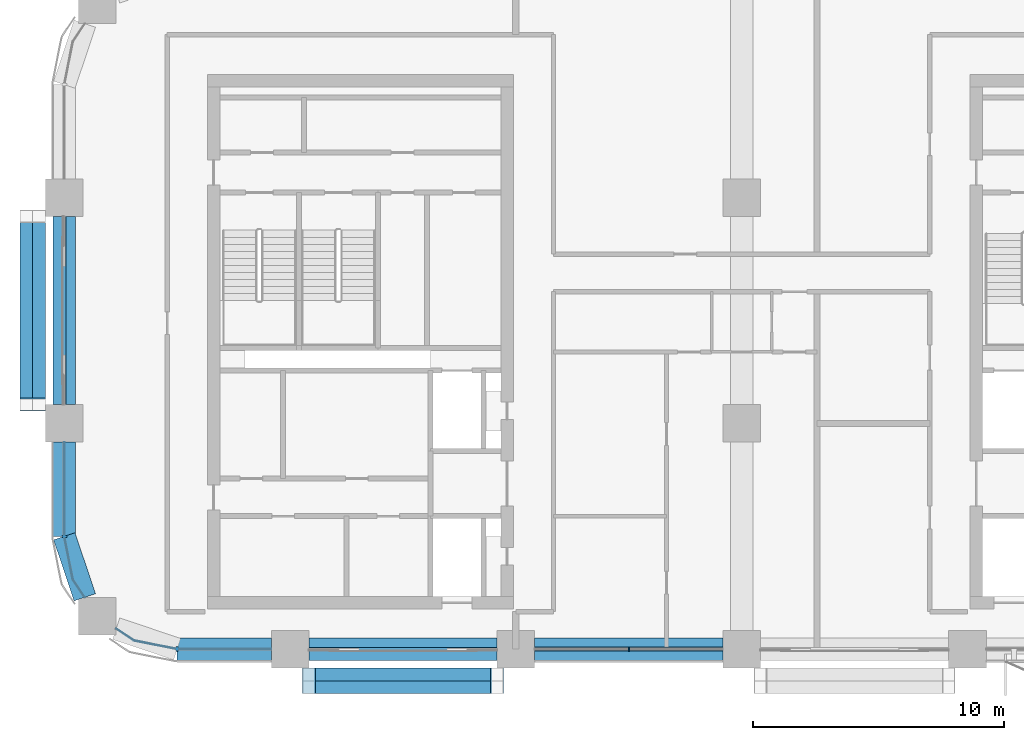
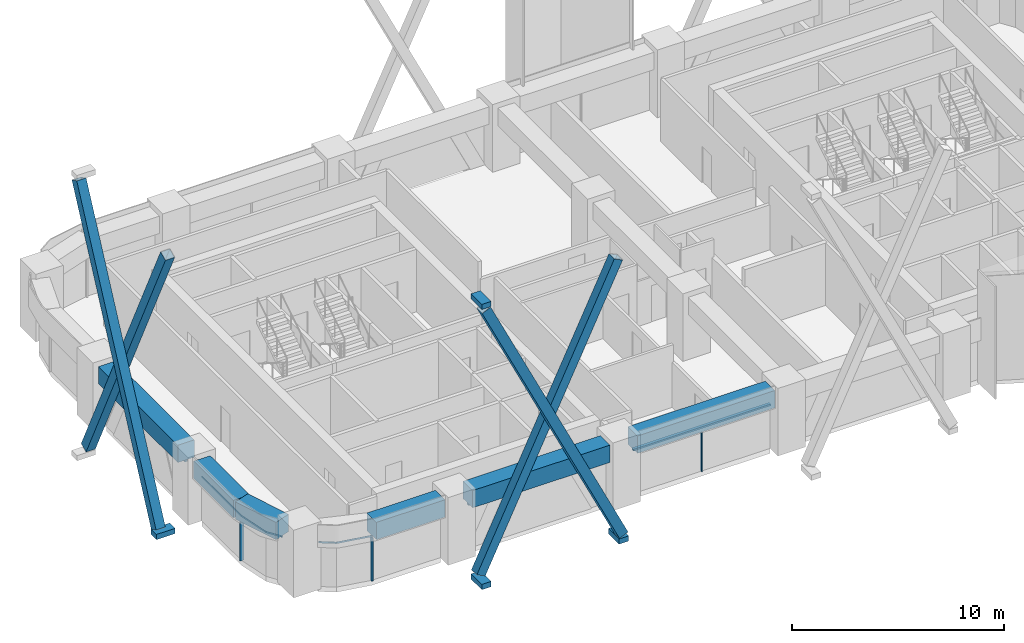
# One storey, part 2 of 14: 16 members, 6 beams, 5 elements without a shape of their own.
"""IFC4 building model written with IfcOpenShell, lengths in metres."""

import ifcopenshell
import ifcopenshell.guid

model = None  # the IFC model being written
_history = None  # IfcOwnerHistory: only IFC2X3 demands one
_inside = {}  # id of a spatial element -> (the spatial element, [elements in it])
_under = {}  # id of a project, library or spatial element -> (it, [spatial elements below it])
_declared = {}  # id of a project -> (the project, [libraries it declares])
_typed = {}  # id of a type object -> (the type object, [elements of that type])
_made_of = {}  # id of a material, layer set ... -> (it, [elements and type objects made of it])


def new_model(schema):
    """Start an empty IFC model of exactly this schema.

    Asked for "IFC4X3", IfcOpenShell would pick the latest addendum, in which some entities
    have other attributes; the version numbers below select the first issue.
    IFC2X3 requires an IfcOwnerHistory on every rooted entity: one is made here for all.
    """
    global model, _history
    if schema == "IFC4X3":
        model = ifcopenshell.file(schema_version=(4, 3, 0, 0))
    else:
        model = ifcopenshell.file(schema=schema)
    _inside.clear()
    _under.clear()
    _declared.clear()
    _typed.clear()
    _made_of.clear()
    _history = None
    if model.schema == "IFC2X3":
        org = make("IfcOrganization", Name="unknown")
        user = make(
            "IfcPersonAndOrganization",
            ThePerson=make("IfcPerson", FamilyName="unknown"),
            TheOrganization=org,
        )
        app = make(
            "IfcApplication",
            ApplicationDeveloper=org,
            Version="unknown",
            ApplicationFullName="unknown",
            ApplicationIdentifier="unknown",
        )
        _history = make(
            "IfcOwnerHistory",
            OwningUser=user,
            OwningApplication=app,
            ChangeAction="ADDED",
            CreationDate=0,
        )
    return model


def make(cls, **values):
    """One entity of the class cls with the attributes given. An attribute that is None is left unset."""
    return model.create_entity(
        cls, **{name: value for name, value in values.items() if value is not None}
    )


def rooted(cls, **values):
    """An entity with a GlobalId (a new one), such as an element, a storey or a relation."""
    return make(cls, GlobalId=ifcopenshell.guid.new(), OwnerHistory=_history, **values)


def si_unit(unit_type, name, prefix=None):
    """IfcSIUnit, for example si_unit("LENGTHUNIT", "METRE", prefix="MILLI")."""
    return make("IfcSIUnit", UnitType=unit_type, Prefix=prefix, Name=name)


def assignment(units):
    """IfcUnitAssignment: the units of a project."""
    return None if units is None else make("IfcUnitAssignment", Units=units)


def point(xyz):
    """IfcCartesianPoint."""
    return None if xyz is None else make("IfcCartesianPoint", Coordinates=xyz)


def direction(xyz):
    """IfcDirection."""
    return None if xyz is None else make("IfcDirection", DirectionRatios=xyz)


def frame(location, z_axis=None, x_axis=None):
    """IfcAxis2Placement3D, a coordinate frame: its origin and axes. An axis left out is left unset."""
    return make(
        "IfcAxis2Placement3D",
        Location=point(location),
        Axis=direction(z_axis),
        RefDirection=direction(x_axis),
    )


def frame_2d(location, x_axis=None):
    """IfcAxis2Placement2D, a coordinate frame in the plane: its origin and x axis."""
    return make(
        "IfcAxis2Placement2D", Location=point(location), RefDirection=direction(x_axis)
    )


def origin():
    """The frame at (0, 0, 0) with its axes left unset."""
    return frame((0.0, 0.0, 0.0))


def origin_2d():
    """The frame at (0, 0) in the plane with its x axis left unset."""
    return frame_2d((0.0, 0.0))


def place(relative_to, where):
    """IfcLocalPlacement: puts the frame where relative to a parent placement (None: the world)."""
    return make(
        "IfcLocalPlacement", PlacementRelTo=relative_to, RelativePlacement=where
    )


def context(
    kind, dimensions, precision=None, world=None, true_north=None, identifier=None
):
    """IfcGeometricRepresentationContext, for example the 3D "Model" context."""
    return make(
        "IfcGeometricRepresentationContext",
        ContextIdentifier=identifier,
        ContextType=kind,
        CoordinateSpaceDimension=dimensions,
        Precision=precision,
        WorldCoordinateSystem=world,
        TrueNorth=true_north,
    )


def subcontext(parent, identifier, kind, view, scale=None):
    """IfcGeometricRepresentationSubContext, for example "Body" below "Model"."""
    return make(
        "IfcGeometricRepresentationSubContext",
        ContextIdentifier=identifier,
        ContextType=kind,
        ParentContext=parent,
        TargetScale=scale,
        TargetView=view,
    )


def project(units=None, contexts=None):
    """IfcProject with its units and contexts."""
    return rooted(
        "IfcProject",
        Name="project",
        RepresentationContexts=contexts,
        UnitsInContext=assignment(units),
    )


def spatial(cls, under=None, at=None, **own):
    """A site, building, storey or space (cls), placed at a placement, below another one or the project."""
    s = rooted(cls, ObjectPlacement=at, **own)
    if under is not None:
        _under.setdefault(under.id(), (under, []))[1].append(s)
    return s


def polyline(points):
    """IfcPolyline through the points."""
    return make("IfcPolyline", Points=[point(p) for p in points])


def profile(cls, at=None, kind="AREA", **sizes):
    """A parametric profile (cls). Its sizes go by their IFC names, for example OverallWidth=200.0."""
    return make(cls, ProfileType=kind, Position=at, **sizes)


def rectangle(**sizes):
    """IfcRectangleProfileDef."""
    return profile("IfcRectangleProfileDef", **sizes)


def hollow_rectangle(**sizes):
    """IfcRectangleHollowProfileDef."""
    return profile("IfcRectangleHollowProfileDef", **sizes)


def outline(outer, holes=None, kind="AREA"):
    """IfcArbitraryClosedProfileDef: a profile drawn as a closed curve; with holes, ...WithVoids."""
    if holes is None:
        return make("IfcArbitraryClosedProfileDef", ProfileType=kind, OuterCurve=outer)
    return make(
        "IfcArbitraryProfileDefWithVoids",
        ProfileType=kind,
        OuterCurve=outer,
        InnerCurves=holes,
    )


def extrude(swept, where, along, depth):
    """IfcExtrudedAreaSolid: the profile swept, set in the frame where, extruded along a direction by depth."""
    return make(
        "IfcExtrudedAreaSolid",
        SweptArea=swept,
        Position=where,
        ExtrudedDirection=direction(along),
        Depth=depth,
    )


def shape(context_of_items, identifier, shape_type, items):
    """IfcShapeRepresentation: the items that make up one representation, for example the "Body"."""
    return make(
        "IfcShapeRepresentation",
        ContextOfItems=context_of_items,
        RepresentationIdentifier=identifier,
        RepresentationType=shape_type,
        Items=items,
    )


def material(Name=None, Category=None):
    """IfcMaterial."""
    return make("IfcMaterial", Name=Name, Category=Category)


def layer(
    of_material, thickness, ventilated=None, Name=None, Category=None, Priority=None
):
    """IfcMaterialLayer: one layer of a wall or slab, of a material (None: an air gap)."""
    return make(
        "IfcMaterialLayer",
        Material=of_material,
        LayerThickness=thickness,
        IsVentilated=ventilated,
        Name=Name,
        Category=Category,
        Priority=Priority,
    )


def layer_set(layers, Name=None):
    """IfcMaterialLayerSet."""
    return make("IfcMaterialLayerSet", MaterialLayers=layers, LayerSetName=Name)


def material_profile(
    of_material, cross_section, Name=None, Category=None, Priority=None
):
    """IfcMaterialProfile: a cross section and its material."""
    return make(
        "IfcMaterialProfile",
        Name=Name,
        Material=of_material,
        Profile=cross_section,
        Priority=Priority,
        Category=Category,
    )


def profile_set(profiles, Name=None, composite=None):
    """IfcMaterialProfileSet."""
    return make(
        "IfcMaterialProfileSet",
        Name=Name,
        MaterialProfiles=profiles,
        CompositeProfile=composite,
    )


def made_of(thing, what):
    """Note that an element or type object is made of a material, layer set ...; save() writes the relation."""
    if what is not None:
        _made_of.setdefault(what.id(), (what, []))[1].append(thing)
    return thing


def type_object(cls, material=None, **own):
    """A type object (cls), such as IfcWallType, which elements share."""
    return made_of(rooted(cls, **own), material)


def element(
    cls,
    number,
    at=None,
    inside=None,
    cuts=None,
    type_object=None,
    material=None,
    context=None,
    identifier="Body",
    shape_type=None,
    held_by="IfcProductDefinitionShape",
    body=None,
    shapes=None,
    **own,
):
    """One element of the class cls, such as IfcWall. Its Tag is "e" and its number.

    at: its placement. inside: the storey or other place that contains it. cuts: it is an
    opening in that element (IfcRelVoidsElement). A single representation is given by context,
    identifier, shape_type and body (its items); several are given by shapes. held_by: the class
    of the entity that holds the representations. save() writes the other relations.
    """
    e = rooted(cls, Tag="e%d" % number, ObjectPlacement=at, **own)
    if body is not None:
        shapes = [shape(context, identifier, shape_type, body)]
    if shapes is not None:
        e.Representation = make(held_by, Representations=shapes)
    if inside is not None:
        _inside.setdefault(inside.id(), (inside, []))[1].append(e)
    if cuts is not None:
        rooted(
            "IfcRelVoidsElement", RelatingBuildingElement=cuts, RelatedOpeningElement=e
        )
    if type_object is not None:
        _typed.setdefault(type_object.id(), (type_object, []))[1].append(e)
    return made_of(e, material)


def aggregate(whole, parts):
    """IfcRelAggregates: a whole, such as a stair, and the parts it consists of."""
    return rooted("IfcRelAggregates", RelatingObject=whole, RelatedObjects=parts)


def save(model, path):
    """Write the relations noted so far, then the file.

    IfcRelAggregates (storeys below a building ...), IfcRelContainedInSpatialStructure (elements
    in a storey), IfcRelDefinesByType, IfcRelAssociatesMaterial and IfcRelDeclares: one each for
    every whole, place, type object, material and project.
    """
    for whole, parts in _under.values():
        aggregate(whole, parts)
    for where, things in _inside.values():
        rooted(
            "IfcRelContainedInSpatialStructure",
            RelatedElements=things,
            RelatingStructure=where,
        )
    for kind, things in _typed.values():
        rooted("IfcRelDefinesByType", RelatedObjects=things, RelatingType=kind)
    for what, things in _made_of.values():
        rooted("IfcRelAssociatesMaterial", RelatedObjects=things, RelatingMaterial=what)
    for by, libraries in _declared.values():
        rooted("IfcRelDeclares", RelatingContext=by, RelatedDefinitions=libraries)
    model.write(path)


model = new_model("IFC4")

# Units and contexts
model_context = context("Model", 3, precision=1e-05, world=origin(), true_north=direction((0.0, 1.0)))
body_context = subcontext(model_context, "Body", "Model", "MODEL_VIEW")
ifc_project = project(units=[si_unit("LENGTHUNIT", "METRE"), si_unit("AREAUNIT", "SQUARE_METRE"), si_unit("VOLUMEUNIT", "CUBIC_METRE"), si_unit("PLANEANGLEUNIT", "RADIAN"), si_unit("MASSUNIT", "GRAM", prefix="KILO")], contexts=[model_context])

# Site, building, storey
site_placement = place(None, origin())
site = spatial("IfcSite", under=ifc_project, at=site_placement, CompositionType="ELEMENT")
building_placement = place(site_placement, origin())
building = spatial("IfcBuilding", under=site, at=building_placement, Name="Tessera Arch", CompositionType="ELEMENT")
storey_placement = place(building_placement, frame((0.0, 0.0, 150.5)))
storey = spatial("IfcBuildingStorey", under=building, at=storey_placement, Name="L35", CompositionType="ELEMENT", Elevation=150.5)

# Members
ifc_material_1 = material(Name="Steel A500 Gr C", Category="steel")
ifc_material_profile_1 = material_profile(ifc_material_1, hollow_rectangle(XDim=0.508056640625, YDim=0.508056640625, WallThickness=0.0146484375, at=origin_2d()), Name="HSS20x20x5/8")
ifc_profile_set_1 = profile_set([ifc_material_profile_1], Name="Steel A500 Gr C")
member_type_1 = type_object("IfcMemberType", Name="Brace HSS20x20x5/8 Steel A500 Gr C", PredefinedType="BRACE", material=ifc_profile_set_1)
for number, where, z_axis, x_axis, name in (
    (1, (-1.00390625, 44.25, -0.800048828125), (0.0, -0.43329223169, 0.901253483742), (1.0, 0.0, 0.0), "Brace W0.27-1 A L35-L38"),
    (2, (-1.511962890625, 36.75, -0.800048828125), (0.0, 0.43329223169, 0.901253483742), (-1.0, 0.0, 0.0), "Brace W0.27-1 B L35-L38"),
    (3, (9.75, 25.99609375, -0.800048828125), (0.43329223169, 0.0, 0.901253483742), (0.0, 1.0, 0.0), "Brace S27.0-1 A L35-L38"),
    (4, (17.25, 25.488037109375, -0.800048828125), (-0.43329223169, 0.0, 0.901253483742), (0.0, -1.0, 0.0), "Brace S27.0-1 B L35-L38"),
):
    element("IfcMember", number, at=place(storey_placement, frame(where, z_axis=z_axis, x_axis=x_axis)), inside=storey, type_object=member_type_1, Name=name, PredefinedType="BRACE", context=body_context, shape_type="SweptSolid", body=[
        extrude(hollow_rectangle(XDim=0.508056640625, YDim=0.508056640625, WallThickness=0.0146484375, at=origin_2d()), origin(), (0.0, 0.0, 1.0), 17.309326171875),
    ])

# Curtain wall, members
ifc_material_2 = material(Name="CW1 curtain wall")
curtain_wall_type_1 = type_object("IfcCurtainWallType", Name="CW1 curtain wall", PredefinedType="NOTDEFINED", material=ifc_material_2)
curtain_wall_1_placement = place(storey_placement, origin())
curtain_wall_1 = element("IfcCurtainWall", 5, at=curtain_wall_1_placement, inside=storey, type_object=curtain_wall_type_1, Name="CW1 curtain wall S27.0/2 L35", PredefinedType="NOTDEFINED")
ifc_material_3 = material(Name="Anodised aluminium pale metal", Category="aluminium")
ifc_material_profile_2 = material_profile(ifc_material_3, rectangle(XDim=0.159912109375, YDim=0.06005859375, at=origin_2d()), Name="AL 60x160")
ifc_profile_set_2 = profile_set([ifc_material_profile_2], Name="Anodised aluminium pale metal")
member_type_2 = type_object("IfcMemberType", Name="CW1 mullion", PredefinedType="MULLION", material=ifc_profile_set_2)
member_1_placement = place(storey_placement, frame((22.5, 27.0, 0.0), z_axis=(0.0, 0.0, 1.0), x_axis=(0.0, 1.0, 0.0)))
member_1 = element("IfcMember", 6, at=member_1_placement, type_object=member_type_2, Name="CW1 mullion S27.0/2 1", PredefinedType="MULLION", context=body_context, shape_type="SweptSolid", body=[
    extrude(rectangle(XDim=0.159912109375, YDim=0.06005859375, at=origin_2d()), origin(), (0.0, 0.0, 1.0), 2.5),
])
ifc_material_4 = material(Name="Anodised aluminium pale metal", Category="aluminium")
ifc_material_profile_3 = material_profile(ifc_material_4, rectangle(XDim=0.159912109375, YDim=0.10009765625, at=origin_2d()), Name="AL 160x100")
ifc_profile_set_3 = profile_set([ifc_material_profile_3], Name="Anodised aluminium pale metal")
member_type_3 = type_object("IfcMemberType", Name="CW1 transom", PredefinedType="USERDEFINED", material=ifc_profile_set_3)
member_2_placement = place(storey_placement, frame((18.75, 27.0, 2.550048828125), z_axis=(1.0, 0.0, 0.0), x_axis=(0.0, 1.0, 0.0)))
member_2 = element("IfcMember", 7, at=member_2_placement, type_object=member_type_3, Name="CW1 transom S27.0/2 1.1", ObjectType="TRANSOM", PredefinedType="USERDEFINED", context=body_context, shape_type="SweptSolid", body=[
    extrude(rectangle(XDim=0.159912109375, YDim=0.10009765625, at=origin_2d()), origin(), (0.0, 0.0, 1.0), 7.5),
])
aggregate(curtain_wall_1, [member_1, member_2])

# Curtain wall, member
ifc_material_5 = material(Name="CW2 curtain wall")
curtain_wall_type_2 = type_object("IfcCurtainWallType", Name="CW2 curtain wall", PredefinedType="NOTDEFINED", material=ifc_material_5)
curtain_wall_2_placement = place(storey_placement, origin())
curtain_wall_2 = element("IfcCurtainWall", 8, at=curtain_wall_2_placement, inside=storey, type_object=curtain_wall_type_2, Name="CW2 curtain wall W0.27/2 L35", PredefinedType="NOTDEFINED")
ifc_material_6 = material(Name="Anodised aluminium pale metal", Category="aluminium")
ifc_material_profile_4 = material_profile(ifc_material_6, rectangle(XDim=0.199951171875, YDim=0.080078125, at=origin_2d()), Name="AL 80x200")
ifc_profile_set_4 = profile_set([ifc_material_profile_4], Name="Anodised aluminium pale metal")
member_type_4 = type_object("IfcMemberType", Name="CW2 mullion", PredefinedType="MULLION", material=ifc_profile_set_4)
member_3_placement = place(storey_placement, frame((0.0, 31.5, 0.0), z_axis=(0.0, 0.0, 1.0), x_axis=(1.0, 0.0, 0.0)))
member_3 = element("IfcMember", 9, at=member_3_placement, type_object=member_type_4, Name="CW2 mullion W0.27/2 1", PredefinedType="MULLION", context=body_context, shape_type="SweptSolid", body=[
    extrude(rectangle(XDim=0.199951171875, YDim=0.080078125, at=origin_2d()), origin(), (0.0, 0.0, 1.0), 2.5),
])

curtain_wall_3_placement = place(storey_placement, origin())
curtain_wall_3 = element("IfcCurtainWall", 10, at=curtain_wall_3_placement, inside=storey, type_object=curtain_wall_type_2, Name="CW2 curtain wall S27.0/0 L35", PredefinedType="NOTDEFINED")
member_4_placement = place(storey_placement, frame((4.5, 27.0, 0.0), z_axis=(0.0, 0.0, 1.0), x_axis=(0.0, 1.0, 0.0)))
member_4 = element("IfcMember", 11, at=member_4_placement, type_object=member_type_4, Name="CW2 mullion S27.0/0 1", PredefinedType="MULLION", context=body_context, shape_type="SweptSolid", body=[
    extrude(rectangle(XDim=0.199951171875, YDim=0.080078125, at=origin_2d()), origin(), (0.0, 0.0, 1.0), 2.5),
])

# Member
ifc_material_7 = material(Name="Anodised aluminium pale metal", Category="aluminium")
ifc_material_profile_5 = material_profile(ifc_material_7, rectangle(XDim=0.199951171875, YDim=0.10009765625, at=origin_2d()), Name="AL 200x100")
ifc_profile_set_5 = profile_set([ifc_material_profile_5], Name="Anodised aluminium pale metal")
member_type_5 = type_object("IfcMemberType", Name="CW2 transom", PredefinedType="USERDEFINED", material=ifc_profile_set_5)
member_5_placement = place(storey_placement, frame((0.0, 0.0, 2.5)))
member_5 = element("IfcMember", 12, at=member_5_placement, type_object=member_type_5, Name="CW2 transom W0.27/2 1", ObjectType="TRANSOM", PredefinedType="USERDEFINED", context=body_context, shape_type="SweptSolid", body=[
    extrude(outline(polyline([(0.010009765625, 31.5009765625), (0.010009765625, 35.25), (-0.010009765625, 35.25), (-0.010009765625, 31.4990234375), (0.3330078125, 29.77392578125), (0.80859375, 29.0625), (0.8251953125, 29.073486328125), (0.351806640625, 29.78173828125), (0.010009765625, 31.5009765625)])), origin(), (0.0, 0.0, 1.0), 0.10009765625),
])

aggregate(curtain_wall_2, [member_3, member_5])

member_6_placement = place(storey_placement, frame((0.0, 0.0, 2.5)))
member_6 = element("IfcMember", 13, at=member_6_placement, type_object=member_type_5, Name="CW2 transom S27.0/0 1", ObjectType="TRANSOM", PredefinedType="USERDEFINED", context=body_context, shape_type="SweptSolid", body=[
    extrude(outline(polyline([(2.78173828125, 27.351806640625), (2.073486328125, 27.8251953125), (2.0625, 27.80859375), (2.77392578125, 27.3330078125), (4.4990234375, 26.989990234375), (8.25, 26.989990234375), (8.25, 27.010009765625), (4.5009765625, 27.010009765625), (2.78173828125, 27.351806640625)])), origin(), (0.0, 0.0, 1.0), 0.10009765625),
])

aggregate(curtain_wall_3, [member_4, member_6])

# Curtain wall, member
ifc_material_8 = material(Name="CW3 curtain wall")
curtain_wall_type_3 = type_object("IfcCurtainWallType", Name="CW3 curtain wall", PredefinedType="NOTDEFINED", material=ifc_material_8)
curtain_wall_4_placement = place(storey_placement, origin())
curtain_wall_4 = element("IfcCurtainWall", 14, at=curtain_wall_4_placement, inside=storey, type_object=curtain_wall_type_3, Name="CW3 curtain wall W0.27/1 L35", PredefinedType="NOTDEFINED")
ifc_material_9 = material(Name="Anodised aluminium pale metal", Category="aluminium")
ifc_material_profile_6 = material_profile(ifc_material_9, rectangle(XDim=0.139892578125, YDim=0.10009765625, at=origin_2d()), Name="AL 140x100")
ifc_profile_set_6 = profile_set([ifc_material_profile_6], Name="Anodised aluminium pale metal")
member_type_6 = type_object("IfcMemberType", Name="CW3 transom", PredefinedType="USERDEFINED", material=ifc_profile_set_6)
member_7_placement = place(storey_placement, frame((0.0, 44.25, 2.550048828125), z_axis=(0.0, -1.0, 0.0), x_axis=(1.0, 0.0, 0.0)))
member_7 = element("IfcMember", 15, at=member_7_placement, type_object=member_type_6, Name="CW3 transom W0.27/1 1.1", ObjectType="TRANSOM", PredefinedType="USERDEFINED", context=body_context, shape_type="SweptSolid", body=[
    extrude(rectangle(XDim=0.139892578125, YDim=0.10009765625, at=origin_2d()), origin(), (0.0, 0.0, 1.0), 7.5),
])
aggregate(curtain_wall_4, [member_7])

curtain_wall_5_placement = place(storey_placement, origin())
curtain_wall_5 = element("IfcCurtainWall", 16, at=curtain_wall_5_placement, inside=storey, type_object=curtain_wall_type_3, Name="CW3 curtain wall S27.0/1 L35", PredefinedType="NOTDEFINED")
member_8_placement = place(storey_placement, frame((9.75, 27.0, 2.550048828125), z_axis=(1.0, 0.0, 0.0), x_axis=(0.0, 1.0, 0.0)))
member_8 = element("IfcMember", 17, at=member_8_placement, type_object=member_type_6, Name="CW3 transom S27.0/1 1.1", ObjectType="TRANSOM", PredefinedType="USERDEFINED", context=body_context, shape_type="SweptSolid", body=[
    extrude(rectangle(XDim=0.139892578125, YDim=0.10009765625, at=origin_2d()), origin(), (0.0, 0.0, 1.0), 7.5),
])
aggregate(curtain_wall_5, [member_8])

# Members
ifc_material_10 = material(Name="Steel A572 Gr50", Category="steel")
ifc_layer = layer(ifc_material_10, 0.050048828125)
ifc_layer_set = layer_set([ifc_layer], Name="Node block Steel A572 Gr50")
member_type_7 = type_object("IfcMemberType", Name="Node block Steel A572 Gr50", PredefinedType="PLATE", material=ifc_layer_set)
for number, where, z_axis, x_axis, name in (
    (18, (-1.258056640625, 36.75, -1.232421875), (0.0, 0.0, 1.0), (0.0, -1.0, 0.0), "Node block seat W0.27-1 1 L35"),
    (19, (17.25, 25.741943359375, -1.232421875), (0.0, 0.0, 1.0), (1.0, 0.0, 0.0), "Node block seat S27.0-1 1 L35"),
    (20, (9.75, 25.741943359375, -1.232421875), (0.0, 0.0, 1.0), (1.0, 0.0, 0.0), "Node block seat S27.0-1 2 L35"),
    (21, (9.75, 25.741943359375, 14.9326171875), (0.0, 0.0, 1.0), (1.0, 0.0, 0.0), "Node block head S27.0-1 B L35"),
):
    element("IfcMember", number, at=place(storey_placement, frame(where, z_axis=z_axis, x_axis=x_axis)), inside=storey, type_object=member_type_7, Name=name, PredefinedType="PLATE", context=body_context, shape_type="SweptSolid", body=[
        extrude(rectangle(XDim=0.508056640625, YDim=1.01611328125, at=origin_2d()), origin(), (0.0, 0.0, 1.0), 0.300048828125),
    ])

# Beams
ifc_material_11 = material(Name="Concrete C70/85", Category="concrete")
ifc_material_profile_7 = material_profile(ifc_material_11, rectangle(XDim=0.89990234375, YDim=1.0, at=origin_2d()), Name="RC spandrel beam 900 x 1000 Concrete C70/85")
ifc_profile_set_7 = profile_set([ifc_material_profile_7], Name="Concrete C70/85")
beam_type = type_object("IfcBeamType", Name="RC spandrel beam 900 x 1000 Concrete C70/85", PredefinedType="BEAM", material=ifc_profile_set_7)
beam_1_placement = place(storey_placement, frame((0.0, 44.25, 3.10009765625), z_axis=(0.0, -1.0, 0.0), x_axis=(1.0, 0.0, 0.0)))
element("IfcBeam", 22, at=beam_1_placement, inside=storey, type_object=beam_type, Name="Spandrel beam L35 W0.27/1", PredefinedType="BEAM", context=body_context, shape_type="SweptSolid", body=[
    extrude(rectangle(XDim=0.89990234375, YDim=1.0, at=origin_2d()), origin(), (0.0, 0.0, 1.0), 7.5),
])
beam_2_placement = place(storey_placement, frame((0.0, 35.25, 3.10009765625), z_axis=(0.0, -1.0, 0.0), x_axis=(1.0, 0.0, 0.0)))
element("IfcBeam", 23, at=beam_2_placement, inside=storey, type_object=beam_type, Name="Spandrel beam L35 W0.27/2.1", PredefinedType="BEAM", context=body_context, shape_type="SweptSolid", body=[
    extrude(rectangle(XDim=0.89990234375, YDim=1.0, at=origin_2d()), origin(), (0.0, 0.0, 1.0), 3.75),
])
beam_3_placement = place(storey_placement, frame((0.0, 31.5, 3.10009765625), z_axis=(0.31842525032, -0.947947973234, 0.0), x_axis=(0.947947973234, 0.31842525032, 0.0)))
element("IfcBeam", 24, at=beam_3_placement, inside=storey, type_object=beam_type, Name="Spandrel beam L35 W0.27/2.2", PredefinedType="BEAM", context=body_context, shape_type="SweptSolid", body=[
    extrude(rectangle(XDim=0.89990234375, YDim=1.0, at=origin_2d()), origin(), (0.0, 0.0, 1.0), 2.5654296875),
])
beam_4_placement = place(storey_placement, frame((4.5, 27.0, 3.10009765625), z_axis=(1.0, 0.0, 0.0), x_axis=(0.0, 1.0, 0.0)))
element("IfcBeam", 25, at=beam_4_placement, inside=storey, type_object=beam_type, Name="Spandrel beam L35 S27.0/0.2", PredefinedType="BEAM", context=body_context, shape_type="SweptSolid", body=[
    extrude(rectangle(XDim=0.89990234375, YDim=1.0, at=origin_2d()), origin(), (0.0, 0.0, 1.0), 3.75),
])
for number, where, z_axis, x_axis, name in (
    (26, (9.75, 27.0, 3.10009765625), (1.0, 0.0, 0.0), (0.0, 1.0, 0.0), "Spandrel beam L35 S27.0/1"),
    (27, (18.75, 27.0, 3.10009765625), (1.0, 0.0, 0.0), (0.0, 1.0, 0.0), "Spandrel beam L35 S27.0/2"),
):
    element("IfcBeam", number, at=place(storey_placement, frame(where, z_axis=z_axis, x_axis=x_axis)), inside=storey, type_object=beam_type, Name=name, PredefinedType="BEAM", context=body_context, shape_type="SweptSolid", body=[
        extrude(rectangle(XDim=0.89990234375, YDim=1.0, at=origin_2d()), origin(), (0.0, 0.0, 1.0), 7.5),
    ])

save(model, "model.ifc")
